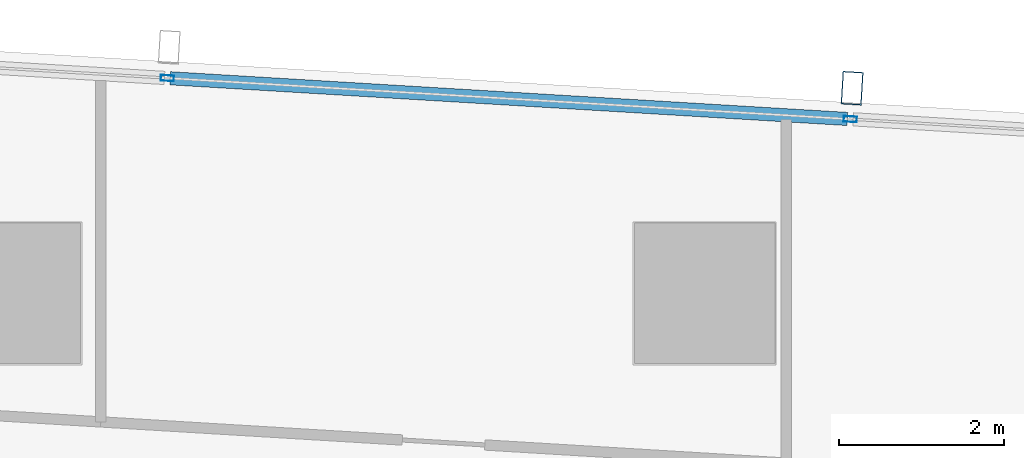
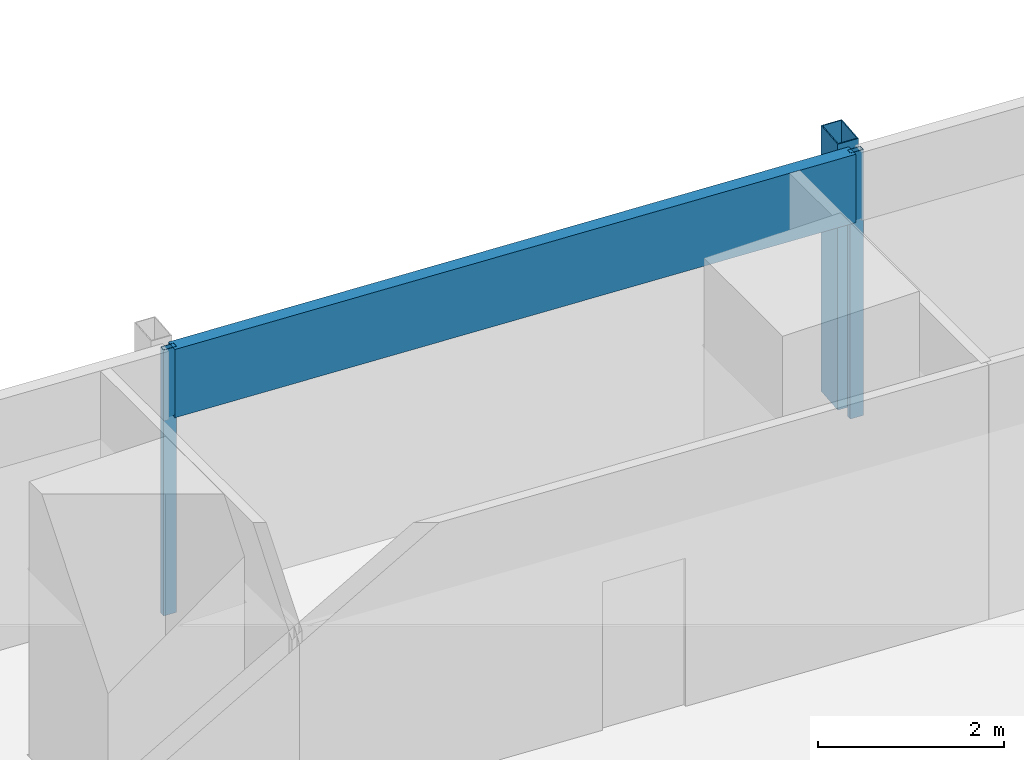
# One storey, part 19 of 40: 4 members, 1 element without a shape of its own.
"""IFC4 building model written with IfcOpenShell, lengths in metres."""

from ifc_helpers import new_model, si_unit, direction, frame, origin, origin_2d, place, context, subcontext, project, spatial, hollow_rectangle, extrude, material, material_profile, profile_set, type_object, element, aggregate, save


model = new_model("IFC4")

# Units and contexts
model_context = context("Model", 3, precision=1e-05, world=origin(), true_north=direction((0.0, 1.0)))
body_context = subcontext(model_context, "Body", "Model", "MODEL_VIEW")
ifc_project = project(units=[si_unit("LENGTHUNIT", "METRE"), si_unit("AREAUNIT", "SQUARE_METRE"), si_unit("VOLUMEUNIT", "CUBIC_METRE"), si_unit("PLANEANGLEUNIT", "RADIAN"), si_unit("MASSUNIT", "GRAM", prefix="KILO")], contexts=[model_context])

# Site, building, storey
site_placement = place(None, origin())
site = spatial("IfcSite", under=ifc_project, at=site_placement, CompositionType="ELEMENT")
building_placement = place(site_placement, origin())
building = spatial("IfcBuilding", under=site, at=building_placement, Name="Rekha Terrace Tower", CompositionType="ELEMENT")
storey_placement = place(building_placement, frame((0.0, 0.0, 125.300048828125)))
storey = spatial("IfcBuildingStorey", under=building, at=storey_placement, Name="L31", CompositionType="ELEMENT", Elevation=125.300048828125)

# Curtain wall, members
ifc_material_1 = material(Name="Aluminium framing", Category="aluminium")
curtain_wall_type = type_object("IfcCurtainWallType", Name="CW3 north unitised glazing", PredefinedType="USERDEFINED", material=ifc_material_1)
curtain_wall_placement = place(storey_placement, origin())
curtain_wall = element("IfcCurtainWall", 1, at=curtain_wall_placement, inside=storey, type_object=curtain_wall_type, Name="CW3 unitised curtain wall", ObjectType="UNITISED CURTAIN WALL", PredefinedType="USERDEFINED")
ifc_material_2 = material(Name="Steel S355 with fluorocarbon finish", Category="steel")
ifc_material_profile_1 = material_profile(ifc_material_2, hollow_rectangle(XDim=0.25, YDim=0.39990234375, WallThickness=0.012451171875, at=origin_2d()), Name="RHS400x250x12.5")
ifc_profile_set_1 = profile_set([ifc_material_profile_1], Name="Steel S355 with fluorocarbon finish")
member_type_1 = type_object("IfcMemberType", Name="BL1 facade blade RHS 400 x 250", PredefinedType="USERDEFINED", material=ifc_profile_set_1)
member_1_placement = place(storey_placement, frame((60.583740234375, 61.281005859375, 0.0), z_axis=(0.0, 0.0, 1.0), x_axis=(-0.998199123409, 0.059987582268, 0.0)))
member_1 = element("IfcMember", 2, at=member_1_placement, type_object=member_type_1, Name="Facade blade", ObjectType="FACADE BLADE", PredefinedType="USERDEFINED", context=body_context, shape_type="SweptSolid", body=[
    extrude(hollow_rectangle(XDim=0.25, YDim=0.39990234375, WallThickness=0.012451171875, at=origin_2d()), origin(), (0.0, 0.0, 1.0), 3.5),
])
ifc_material_3 = material(Name="Aluminium mullion section", Category="aluminium")
ifc_material_profile_2 = material_profile(ifc_material_3, hollow_rectangle(XDim=0.070068359375, YDim=0.159912109375, WallThickness=0.00390625, at=origin_2d()), Name="AL RHS 70x160")
ifc_profile_set_2 = profile_set([ifc_material_profile_2], Name="Aluminium mullion section")
member_type_2 = type_object("IfcMemberType", Name="CW3 mullion RHS 70 x 160", PredefinedType="MULLION", material=ifc_profile_set_2)
member_2_placement = place(storey_placement, frame((60.561279296875, 60.90673828125, 0.0), z_axis=(0.0, 0.0, 1.0), x_axis=(-0.059987926837, -0.998199102701, 0.0)))
member_2 = element("IfcMember", 3, at=member_2_placement, type_object=member_type_2, Name="CW3 mullion 2", PredefinedType="MULLION", context=body_context, shape_type="SweptSolid", body=[
    extrude(hollow_rectangle(XDim=0.070068359375, YDim=0.159912109375, WallThickness=0.00390625, at=origin_2d()), origin(), (0.0, 0.0, 1.0), 3.5),
])
member_3_placement = place(storey_placement, frame((52.299560546875, 61.4033203125, 0.0), z_axis=(0.0, 0.0, 1.0), x_axis=(-0.059987926837, -0.998199102701, 0.0)))
member_3 = element("IfcMember", 4, at=member_3_placement, type_object=member_type_2, Name="CW3 mullion 3", PredefinedType="MULLION", context=body_context, shape_type="SweptSolid", body=[
    extrude(hollow_rectangle(XDim=0.070068359375, YDim=0.159912109375, WallThickness=0.00390625, at=origin_2d()), origin(), (0.0, 0.0, 1.0), 3.5),
])
ifc_material_4 = material(Name="Insulated aluminium spandrel box", Category="aluminium")
ifc_material_profile_3 = material_profile(ifc_material_4, hollow_rectangle(XDim=0.159912109375, YDim=0.89990234375, WallThickness=0.0029296875, at=origin_2d()), Name="AL SPANDREL BOX 160x900")
ifc_profile_set_3 = profile_set([ifc_material_profile_3], Name="Insulated aluminium spandrel box")
member_type_3 = type_object("IfcMemberType", Name="CW3 spandrel transom 160 x 900", PredefinedType="USERDEFINED", material=ifc_profile_set_3)
member_4_placement = place(storey_placement, frame((60.5263671875, 60.908935546875, 3.050048828125), z_axis=(-0.998199826332, 0.059975884418, 0.0), x_axis=(-0.059975884418, -0.998199826332, 0.0)))
member_4 = element("IfcMember", 5, at=member_4_placement, type_object=member_type_3, Name="CW3 spandrel transom 2", ObjectType="TRANSOM", PredefinedType="USERDEFINED", context=body_context, shape_type="SweptSolid", body=[
    extrude(hollow_rectangle(XDim=0.159912109375, YDim=0.89990234375, WallThickness=0.0029296875, at=origin_2d()), origin(), (0.0, 0.0, 1.0), 8.20654296875),
])
aggregate(curtain_wall, [member_2, member_3, member_4, member_1])

save(model, "model.ifc")
